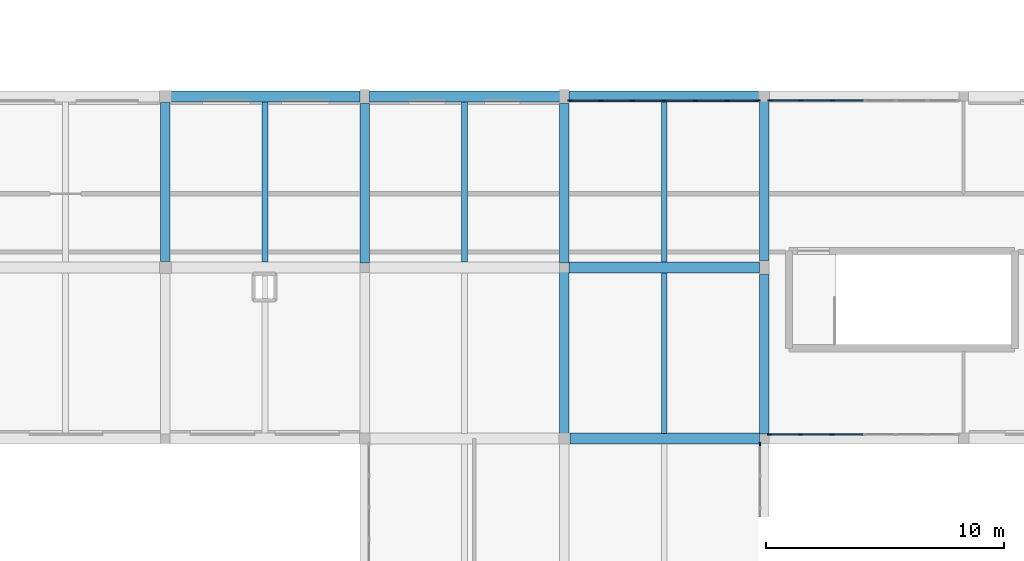
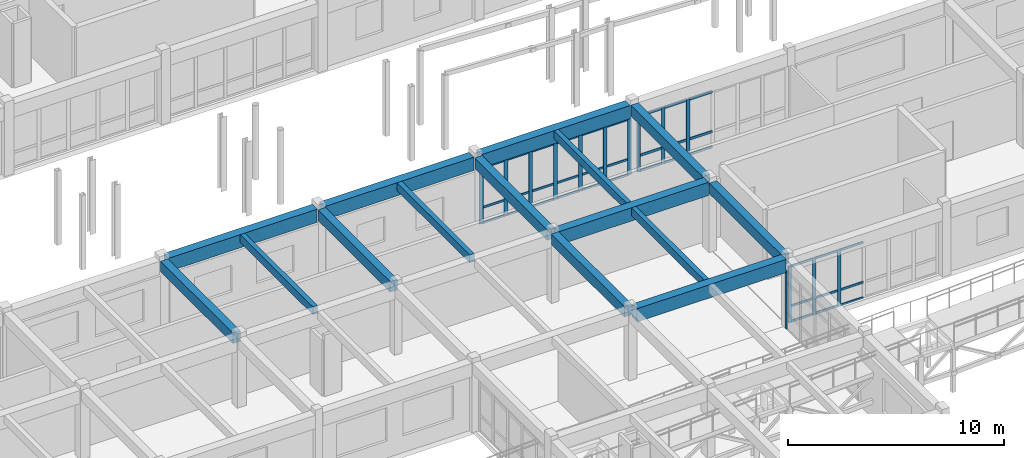
# One storey, part 35 of 90: 50 members, 15 beams, 4 elements without a shape of their own.
"""IFC4 building model written with IfcOpenShell, lengths in metres."""

from ifc_helpers import new_model, si_unit, direction, frame, origin, origin_2d, place, context, subcontext, project, spatial, rectangle, extrude, material, material_profile, profile_set, type_object, element, aggregate, save


model = new_model("IFC4")

# Units and contexts
model_context = context("Model", 3, precision=1e-05, world=origin(), true_north=direction((0.0, 1.0)))
body_context = subcontext(model_context, "Body", "Model", "MODEL_VIEW")
ifc_project = project(units=[si_unit("LENGTHUNIT", "METRE"), si_unit("AREAUNIT", "SQUARE_METRE"), si_unit("VOLUMEUNIT", "CUBIC_METRE"), si_unit("PLANEANGLEUNIT", "RADIAN"), si_unit("MASSUNIT", "GRAM", prefix="KILO")], contexts=[model_context])

# Site, building, storey
site_placement = place(None, origin())
site = spatial("IfcSite", under=ifc_project, at=site_placement, CompositionType="ELEMENT")
building_placement = place(site_placement, origin())
building = spatial("IfcBuilding", under=site, at=building_placement, Name="Malvenik Polytechnic", CompositionType="ELEMENT")
storey_placement = place(building_placement, frame((0.0, 0.0, 9.300048828125)))
storey = spatial("IfcBuildingStorey", under=building, at=storey_placement, Name="L02", CompositionType="ELEMENT", Elevation=9.300048828125)

# Curtain wall, member
ifc_material_1 = material(Name="Anodised aluminium 6060-T6", Category="aluminium")
curtain_wall_type_1 = type_object("IfcCurtainWallType", Name="ARC-CW-CW-06", PredefinedType="NOTDEFINED", material=ifc_material_1)
curtain_wall_1_placement = place(storey_placement, origin())
curtain_wall_1 = element("IfcCurtainWall", 1, at=curtain_wall_1_placement, inside=storey, type_object=curtain_wall_type_1, Name="Unitised Curtain Wall CW-06 L02 #146", PredefinedType="NOTDEFINED")
ifc_material_2 = material(Name="Anodised aluminium", Category="aluminium")
ifc_material_profile_1 = material_profile(ifc_material_2, rectangle(XDim=0.06005859375, YDim=0.159912109375, at=origin_2d()), Name="ALU MULLION 60x160")
ifc_profile_set_1 = profile_set([ifc_material_profile_1], Name="Anodised aluminium")
member_type_1 = type_object("IfcMemberType", Name="ARC-CWM-160", PredefinedType="MULLION", material=ifc_profile_set_1)
member_1_placement = place(storey_placement, frame((92.22998046875, 50.172119140625, 0.0), z_axis=(0.0, 0.0, 1.0), x_axis=(1.0, 0.0, 0.0)))
member_1 = element("IfcMember", 2, at=member_1_placement, type_object=member_type_1, Name="CW-06 mullion 1", PredefinedType="MULLION", context=body_context, shape_type="SweptSolid", body=[
    extrude(rectangle(XDim=0.06005859375, YDim=0.159912109375, at=origin_2d()), origin(), (0.0, 0.0, 1.0), 3.329833984375),
])
aggregate(curtain_wall_1, [member_1])

# Curtain wall, members
curtain_wall_type_2 = type_object("IfcCurtainWallType", Name="ARC-CW-CW-03", PredefinedType="NOTDEFINED", material=ifc_material_1)
curtain_wall_2_placement = place(storey_placement, origin())
curtain_wall_2 = element("IfcCurtainWall", 3, at=curtain_wall_2_placement, inside=storey, type_object=curtain_wall_type_2, Name="Unitised Curtain Wall CW-03 L02 #142", PredefinedType="NOTDEFINED")
ifc_material_profile_2 = material_profile(ifc_material_2, rectangle(XDim=0.06005859375, YDim=0.179931640625, at=origin_2d()), Name="ALU MULLION 60x180")
ifc_profile_set_2 = profile_set([ifc_material_profile_2], Name="Anodised aluminium")
member_type_2 = type_object("IfcMemberType", Name="ARC-CWM-180", PredefinedType="MULLION", material=ifc_profile_set_2)
member_2_placement = place(storey_placement, frame((92.653076171875, 64.6298828125, 0.0), z_axis=(0.0, 0.0, 1.0), x_axis=(0.0, 1.0, 0.0)))
member_2 = element("IfcMember", 4, at=member_2_placement, type_object=member_type_2, Name="CW-03 mullion 1", PredefinedType="MULLION", context=body_context, shape_type="SweptSolid", body=[
    extrude(rectangle(XDim=0.06005859375, YDim=0.179931640625, at=origin_2d()), origin(), (0.0, 0.0, 1.0), 3.179931640625),
])
member_3_placement = place(storey_placement, frame((93.952880859375, 64.6298828125, 0.0), z_axis=(0.0, 0.0, 1.0), x_axis=(0.0, 1.0, 0.0)))
member_3 = element("IfcMember", 5, at=member_3_placement, type_object=member_type_2, Name="CW-03 mullion 2", PredefinedType="MULLION", context=body_context, shape_type="SweptSolid", body=[
    extrude(rectangle(XDim=0.06005859375, YDim=0.179931640625, at=origin_2d()), origin(), (0.0, 0.0, 1.0), 3.179931640625),
])
member_4_placement = place(storey_placement, frame((95.28271484375, 64.6298828125, 0.0), z_axis=(0.0, 0.0, 1.0), x_axis=(0.0, 1.0, 0.0)))
member_4 = element("IfcMember", 6, at=member_4_placement, type_object=member_type_2, Name="CW-03 mullion 3", PredefinedType="MULLION", context=body_context, shape_type="SweptSolid", body=[
    extrude(rectangle(XDim=0.06005859375, YDim=0.179931640625, at=origin_2d()), origin(), (0.0, 0.0, 1.0), 3.179931640625),
])

curtain_wall_3_placement = place(storey_placement, origin())
curtain_wall_3 = element("IfcCurtainWall", 7, at=curtain_wall_3_placement, inside=storey, type_object=curtain_wall_type_2, Name="Unitised Curtain Wall CW-03 L02 #145", PredefinedType="NOTDEFINED")
member_5_placement = place(storey_placement, frame((95.257568359375, 50.570068359375, 0.0), z_axis=(0.0, 0.0, 1.0), x_axis=(0.0, -1.0, 0.0)))
member_5 = element("IfcMember", 8, at=member_5_placement, type_object=member_type_2, Name="CW-03 mullion 5", PredefinedType="MULLION", context=body_context, shape_type="SweptSolid", body=[
    extrude(rectangle(XDim=0.06005859375, YDim=0.179931640625, at=origin_2d()), origin(), (0.0, 0.0, 1.0), 3.179931640625),
])
member_6_placement = place(storey_placement, frame((93.927734375, 50.570068359375, 0.0), z_axis=(0.0, 0.0, 1.0), x_axis=(0.0, -1.0, 0.0)))
member_6 = element("IfcMember", 9, at=member_6_placement, type_object=member_type_2, Name="CW-03 mullion 6", PredefinedType="MULLION", context=body_context, shape_type="SweptSolid", body=[
    extrude(rectangle(XDim=0.06005859375, YDim=0.179931640625, at=origin_2d()), origin(), (0.0, 0.0, 1.0), 3.179931640625),
])
member_7_placement = place(storey_placement, frame((92.6279296875, 50.570068359375, 0.0), z_axis=(0.0, 0.0, 1.0), x_axis=(0.0, -1.0, 0.0)))
member_7 = element("IfcMember", 10, at=member_7_placement, type_object=member_type_2, Name="CW-03 mullion 7", PredefinedType="MULLION", context=body_context, shape_type="SweptSolid", body=[
    extrude(rectangle(XDim=0.06005859375, YDim=0.179931640625, at=origin_2d()), origin(), (0.0, 0.0, 1.0), 3.179931640625),
])

curtain_wall_4_placement = place(storey_placement, origin())
curtain_wall_4 = element("IfcCurtainWall", 11, at=curtain_wall_4_placement, inside=storey, type_object=curtain_wall_type_2, Name="Unitised Curtain Wall CW-03 L02 #141", PredefinedType="NOTDEFINED")
ifc_material_profile_3 = material_profile(ifc_material_2, rectangle(XDim=0.06005859375, YDim=0.199951171875, at=origin_2d()), Name="ALU MULLION 60x200")
ifc_profile_set_3 = profile_set([ifc_material_profile_3], Name="Anodised aluminium")
member_type_3 = type_object("IfcMemberType", Name="ARC-CWM-200", PredefinedType="MULLION", material=ifc_profile_set_3)
member_8_placement = place(storey_placement, frame((84.22802734375, 64.6298828125, 0.0), z_axis=(0.0, 0.0, 1.0), x_axis=(0.0, 1.0, 0.0)))
member_8 = element("IfcMember", 12, at=member_8_placement, type_object=member_type_3, Name="CW-03 mullion 1", PredefinedType="MULLION", context=body_context, shape_type="SweptSolid", body=[
    extrude(rectangle(XDim=0.06005859375, YDim=0.199951171875, at=origin_2d()), origin(), (0.0, 0.0, 1.0), 3.179931640625),
])
member_9_placement = place(storey_placement, frame((85.52783203125, 64.6298828125, 0.0), z_axis=(0.0, 0.0, 1.0), x_axis=(0.0, 1.0, 0.0)))
member_9 = element("IfcMember", 13, at=member_9_placement, type_object=member_type_3, Name="CW-03 mullion 2", PredefinedType="MULLION", context=body_context, shape_type="SweptSolid", body=[
    extrude(rectangle(XDim=0.06005859375, YDim=0.199951171875, at=origin_2d()), origin(), (0.0, 0.0, 1.0), 3.179931640625),
])
member_10_placement = place(storey_placement, frame((86.857666015625, 64.6298828125, 0.0), z_axis=(0.0, 0.0, 1.0), x_axis=(0.0, 1.0, 0.0)))
member_10 = element("IfcMember", 14, at=member_10_placement, type_object=member_type_3, Name="CW-03 mullion 3", PredefinedType="MULLION", context=body_context, shape_type="SweptSolid", body=[
    extrude(rectangle(XDim=0.06005859375, YDim=0.199951171875, at=origin_2d()), origin(), (0.0, 0.0, 1.0), 3.179931640625),
])
member_11_placement = place(storey_placement, frame((88.1875, 64.6298828125, 0.0), z_axis=(0.0, 0.0, 1.0), x_axis=(0.0, 1.0, 0.0)))
member_11 = element("IfcMember", 15, at=member_11_placement, type_object=member_type_3, Name="CW-03 mullion 4", PredefinedType="MULLION", context=body_context, shape_type="SweptSolid", body=[
    extrude(rectangle(XDim=0.06005859375, YDim=0.199951171875, at=origin_2d()), origin(), (0.0, 0.0, 1.0), 3.179931640625),
])
member_12_placement = place(storey_placement, frame((89.517333984375, 64.6298828125, 0.0), z_axis=(0.0, 0.0, 1.0), x_axis=(0.0, 1.0, 0.0)))
member_12 = element("IfcMember", 16, at=member_12_placement, type_object=member_type_3, Name="CW-03 mullion 5", PredefinedType="MULLION", context=body_context, shape_type="SweptSolid", body=[
    extrude(rectangle(XDim=0.06005859375, YDim=0.199951171875, at=origin_2d()), origin(), (0.0, 0.0, 1.0), 3.179931640625),
])
member_13_placement = place(storey_placement, frame((90.84716796875, 64.6298828125, 0.0), z_axis=(0.0, 0.0, 1.0), x_axis=(0.0, 1.0, 0.0)))
member_13 = element("IfcMember", 17, at=member_13_placement, type_object=member_type_3, Name="CW-03 mullion 6", PredefinedType="MULLION", context=body_context, shape_type="SweptSolid", body=[
    extrude(rectangle(XDim=0.06005859375, YDim=0.199951171875, at=origin_2d()), origin(), (0.0, 0.0, 1.0), 3.179931640625),
])
member_14_placement = place(storey_placement, frame((92.14697265625, 64.6298828125, 0.0), z_axis=(0.0, 0.0, 1.0), x_axis=(0.0, 1.0, 0.0)))
member_14 = element("IfcMember", 18, at=member_14_placement, type_object=member_type_3, Name="CW-03 mullion 7", PredefinedType="MULLION", context=body_context, shape_type="SweptSolid", body=[
    extrude(rectangle(XDim=0.06005859375, YDim=0.199951171875, at=origin_2d()), origin(), (0.0, 0.0, 1.0), 3.179931640625),
])
ifc_material_profile_4 = material_profile(ifc_material_2, rectangle(XDim=0.06005859375, YDim=0.1201171875, at=origin_2d()), Name="ALU TRANSOM 60x120")
ifc_profile_set_4 = profile_set([ifc_material_profile_4], Name="Anodised aluminium")
member_type_4 = type_object("IfcMemberType", Name="ARC-CWT-120", PredefinedType="USERDEFINED", material=ifc_profile_set_4)
member_15_placement = place(storey_placement, frame((84.258056640625, 64.6298828125, 0.030029296875), z_axis=(1.0, 0.0, 0.0), x_axis=(0.0, 1.0, 0.0)))
member_15 = element("IfcMember", 19, at=member_15_placement, type_object=member_type_4, Name="CW-03 transom 1.1", ObjectType="TRANSOM", PredefinedType="USERDEFINED", context=body_context, shape_type="SweptSolid", body=[
    extrude(rectangle(XDim=0.06005859375, YDim=0.1201171875, at=origin_2d()), origin(), (0.0, 0.0, 1.0), 1.23974609375),
])
member_16_placement = place(storey_placement, frame((84.258056640625, 64.6298828125, 0.89990234375), z_axis=(1.0, 0.0, 0.0), x_axis=(0.0, 1.0, 0.0)))
member_16 = element("IfcMember", 20, at=member_16_placement, type_object=member_type_4, Name="CW-03 transom 1.2", ObjectType="TRANSOM", PredefinedType="USERDEFINED", context=body_context, shape_type="SweptSolid", body=[
    extrude(rectangle(XDim=0.06005859375, YDim=0.1201171875, at=origin_2d()), origin(), (0.0, 0.0, 1.0), 1.23974609375),
])
member_17_placement = place(storey_placement, frame((84.258056640625, 64.6298828125, 3.14990234375), z_axis=(1.0, 0.0, 0.0), x_axis=(0.0, 1.0, 0.0)))
member_17 = element("IfcMember", 21, at=member_17_placement, type_object=member_type_4, Name="CW-03 transom 1.3", ObjectType="TRANSOM", PredefinedType="USERDEFINED", context=body_context, shape_type="SweptSolid", body=[
    extrude(rectangle(XDim=0.06005859375, YDim=0.1201171875, at=origin_2d()), origin(), (0.0, 0.0, 1.0), 1.23974609375),
])
member_18_placement = place(storey_placement, frame((85.557861328125, 64.6298828125, 0.030029296875), z_axis=(1.0, 0.0, 0.0), x_axis=(0.0, 1.0, 0.0)))
member_18 = element("IfcMember", 22, at=member_18_placement, type_object=member_type_4, Name="CW-03 transom 2.1", ObjectType="TRANSOM", PredefinedType="USERDEFINED", context=body_context, shape_type="SweptSolid", body=[
    extrude(rectangle(XDim=0.06005859375, YDim=0.1201171875, at=origin_2d()), origin(), (0.0, 0.0, 1.0), 1.269775390625),
])
member_19_placement = place(storey_placement, frame((85.557861328125, 64.6298828125, 0.89990234375), z_axis=(1.0, 0.0, 0.0), x_axis=(0.0, 1.0, 0.0)))
member_19 = element("IfcMember", 23, at=member_19_placement, type_object=member_type_4, Name="CW-03 transom 2.2", ObjectType="TRANSOM", PredefinedType="USERDEFINED", context=body_context, shape_type="SweptSolid", body=[
    extrude(rectangle(XDim=0.06005859375, YDim=0.1201171875, at=origin_2d()), origin(), (0.0, 0.0, 1.0), 1.269775390625),
])
member_20_placement = place(storey_placement, frame((85.557861328125, 64.6298828125, 3.14990234375), z_axis=(1.0, 0.0, 0.0), x_axis=(0.0, 1.0, 0.0)))
member_20 = element("IfcMember", 24, at=member_20_placement, type_object=member_type_4, Name="CW-03 transom 2.3", ObjectType="TRANSOM", PredefinedType="USERDEFINED", context=body_context, shape_type="SweptSolid", body=[
    extrude(rectangle(XDim=0.06005859375, YDim=0.1201171875, at=origin_2d()), origin(), (0.0, 0.0, 1.0), 1.269775390625),
])
member_21_placement = place(storey_placement, frame((86.8876953125, 64.6298828125, 0.030029296875), z_axis=(1.0, 0.0, 0.0), x_axis=(0.0, 1.0, 0.0)))
member_21 = element("IfcMember", 25, at=member_21_placement, type_object=member_type_4, Name="CW-03 transom 3.1", ObjectType="TRANSOM", PredefinedType="USERDEFINED", context=body_context, shape_type="SweptSolid", body=[
    extrude(rectangle(XDim=0.06005859375, YDim=0.1201171875, at=origin_2d()), origin(), (0.0, 0.0, 1.0), 1.269775390625),
])
member_22_placement = place(storey_placement, frame((86.8876953125, 64.6298828125, 0.89990234375), z_axis=(1.0, 0.0, 0.0), x_axis=(0.0, 1.0, 0.0)))
member_22 = element("IfcMember", 26, at=member_22_placement, type_object=member_type_4, Name="CW-03 transom 3.2", ObjectType="TRANSOM", PredefinedType="USERDEFINED", context=body_context, shape_type="SweptSolid", body=[
    extrude(rectangle(XDim=0.06005859375, YDim=0.1201171875, at=origin_2d()), origin(), (0.0, 0.0, 1.0), 1.269775390625),
])
member_23_placement = place(storey_placement, frame((86.8876953125, 64.6298828125, 3.14990234375), z_axis=(1.0, 0.0, 0.0), x_axis=(0.0, 1.0, 0.0)))
member_23 = element("IfcMember", 27, at=member_23_placement, type_object=member_type_4, Name="CW-03 transom 3.3", ObjectType="TRANSOM", PredefinedType="USERDEFINED", context=body_context, shape_type="SweptSolid", body=[
    extrude(rectangle(XDim=0.06005859375, YDim=0.1201171875, at=origin_2d()), origin(), (0.0, 0.0, 1.0), 1.269775390625),
])
member_24_placement = place(storey_placement, frame((88.217529296875, 64.6298828125, 0.030029296875), z_axis=(1.0, 0.0, 0.0), x_axis=(0.0, 1.0, 0.0)))
member_24 = element("IfcMember", 28, at=member_24_placement, type_object=member_type_4, Name="CW-03 transom 4.1", ObjectType="TRANSOM", PredefinedType="USERDEFINED", context=body_context, shape_type="SweptSolid", body=[
    extrude(rectangle(XDim=0.06005859375, YDim=0.1201171875, at=origin_2d()), origin(), (0.0, 0.0, 1.0), 1.269775390625),
])
member_25_placement = place(storey_placement, frame((88.217529296875, 64.6298828125, 0.89990234375), z_axis=(1.0, 0.0, 0.0), x_axis=(0.0, 1.0, 0.0)))
member_25 = element("IfcMember", 29, at=member_25_placement, type_object=member_type_4, Name="CW-03 transom 4.2", ObjectType="TRANSOM", PredefinedType="USERDEFINED", context=body_context, shape_type="SweptSolid", body=[
    extrude(rectangle(XDim=0.06005859375, YDim=0.1201171875, at=origin_2d()), origin(), (0.0, 0.0, 1.0), 1.269775390625),
])
member_26_placement = place(storey_placement, frame((88.217529296875, 64.6298828125, 3.14990234375), z_axis=(1.0, 0.0, 0.0), x_axis=(0.0, 1.0, 0.0)))
member_26 = element("IfcMember", 30, at=member_26_placement, type_object=member_type_4, Name="CW-03 transom 4.3", ObjectType="TRANSOM", PredefinedType="USERDEFINED", context=body_context, shape_type="SweptSolid", body=[
    extrude(rectangle(XDim=0.06005859375, YDim=0.1201171875, at=origin_2d()), origin(), (0.0, 0.0, 1.0), 1.269775390625),
])
member_27_placement = place(storey_placement, frame((89.54736328125, 64.6298828125, 0.030029296875), z_axis=(1.0, 0.0, 0.0), x_axis=(0.0, 1.0, 0.0)))
member_27 = element("IfcMember", 31, at=member_27_placement, type_object=member_type_4, Name="CW-03 transom 5.1", ObjectType="TRANSOM", PredefinedType="USERDEFINED", context=body_context, shape_type="SweptSolid", body=[
    extrude(rectangle(XDim=0.06005859375, YDim=0.1201171875, at=origin_2d()), origin(), (0.0, 0.0, 1.0), 1.269775390625),
])
member_28_placement = place(storey_placement, frame((89.54736328125, 64.6298828125, 0.89990234375), z_axis=(1.0, 0.0, 0.0), x_axis=(0.0, 1.0, 0.0)))
member_28 = element("IfcMember", 32, at=member_28_placement, type_object=member_type_4, Name="CW-03 transom 5.2", ObjectType="TRANSOM", PredefinedType="USERDEFINED", context=body_context, shape_type="SweptSolid", body=[
    extrude(rectangle(XDim=0.06005859375, YDim=0.1201171875, at=origin_2d()), origin(), (0.0, 0.0, 1.0), 1.269775390625),
])
member_29_placement = place(storey_placement, frame((89.54736328125, 64.6298828125, 3.14990234375), z_axis=(1.0, 0.0, 0.0), x_axis=(0.0, 1.0, 0.0)))
member_29 = element("IfcMember", 33, at=member_29_placement, type_object=member_type_4, Name="CW-03 transom 5.3", ObjectType="TRANSOM", PredefinedType="USERDEFINED", context=body_context, shape_type="SweptSolid", body=[
    extrude(rectangle(XDim=0.06005859375, YDim=0.1201171875, at=origin_2d()), origin(), (0.0, 0.0, 1.0), 1.269775390625),
])
member_30_placement = place(storey_placement, frame((90.877197265625, 64.6298828125, 0.030029296875), z_axis=(1.0, 0.0, 0.0), x_axis=(0.0, 1.0, 0.0)))
member_30 = element("IfcMember", 34, at=member_30_placement, type_object=member_type_4, Name="CW-03 transom 6.1", ObjectType="TRANSOM", PredefinedType="USERDEFINED", context=body_context, shape_type="SweptSolid", body=[
    extrude(rectangle(XDim=0.06005859375, YDim=0.1201171875, at=origin_2d()), origin(), (0.0, 0.0, 1.0), 1.23974609375),
])
member_31_placement = place(storey_placement, frame((90.877197265625, 64.6298828125, 0.89990234375), z_axis=(1.0, 0.0, 0.0), x_axis=(0.0, 1.0, 0.0)))
member_31 = element("IfcMember", 35, at=member_31_placement, type_object=member_type_4, Name="CW-03 transom 6.2", ObjectType="TRANSOM", PredefinedType="USERDEFINED", context=body_context, shape_type="SweptSolid", body=[
    extrude(rectangle(XDim=0.06005859375, YDim=0.1201171875, at=origin_2d()), origin(), (0.0, 0.0, 1.0), 1.23974609375),
])
member_32_placement = place(storey_placement, frame((90.877197265625, 64.6298828125, 3.14990234375), z_axis=(1.0, 0.0, 0.0), x_axis=(0.0, 1.0, 0.0)))
member_32 = element("IfcMember", 36, at=member_32_placement, type_object=member_type_4, Name="CW-03 transom 6.3", ObjectType="TRANSOM", PredefinedType="USERDEFINED", context=body_context, shape_type="SweptSolid", body=[
    extrude(rectangle(XDim=0.06005859375, YDim=0.1201171875, at=origin_2d()), origin(), (0.0, 0.0, 1.0), 1.23974609375),
])
aggregate(curtain_wall_4, [member_8, member_9, member_10, member_11, member_12, member_13, member_14, member_15, member_16, member_17, member_18, member_19, member_20, member_21, member_22, member_23, member_24, member_25, member_26, member_27, member_28, member_29, member_30, member_31, member_32])

# Member
member_33_placement = place(storey_placement, frame((96.5576171875, 50.570068359375, 0.030029296875), z_axis=(-1.0, 0.0, 0.0), x_axis=(0.0, -1.0, 0.0)))
member_33 = element("IfcMember", 37, at=member_33_placement, type_object=member_type_4, Name="CW-03 transom 4.1", ObjectType="TRANSOM", PredefinedType="USERDEFINED", context=body_context, shape_type="SweptSolid", body=[
    extrude(rectangle(XDim=0.06005859375, YDim=0.1201171875, at=origin_2d()), origin(), (0.0, 0.0, 1.0), 1.27001953125),
])

member_34_placement = place(storey_placement, frame((96.5576171875, 50.570068359375, 0.89990234375), z_axis=(-1.0, 0.0, 0.0), x_axis=(0.0, -1.0, 0.0)))
member_34 = element("IfcMember", 38, at=member_34_placement, type_object=member_type_4, Name="CW-03 transom 4.2", ObjectType="TRANSOM", PredefinedType="USERDEFINED", context=body_context, shape_type="SweptSolid", body=[
    extrude(rectangle(XDim=0.06005859375, YDim=0.1201171875, at=origin_2d()), origin(), (0.0, 0.0, 1.0), 1.27001953125),
])

member_35_placement = place(storey_placement, frame((96.5576171875, 50.570068359375, 3.14990234375), z_axis=(-1.0, 0.0, 0.0), x_axis=(0.0, -1.0, 0.0)))
member_35 = element("IfcMember", 39, at=member_35_placement, type_object=member_type_4, Name="CW-03 transom 4.3", ObjectType="TRANSOM", PredefinedType="USERDEFINED", context=body_context, shape_type="SweptSolid", body=[
    extrude(rectangle(XDim=0.06005859375, YDim=0.1201171875, at=origin_2d()), origin(), (0.0, 0.0, 1.0), 1.27001953125),
])

member_36_placement = place(storey_placement, frame((95.227783203125, 50.570068359375, 0.030029296875), z_axis=(-1.0, 0.0, 0.0), x_axis=(0.0, -1.0, 0.0)))
member_36 = element("IfcMember", 40, at=member_36_placement, type_object=member_type_4, Name="CW-03 transom 5.1", ObjectType="TRANSOM", PredefinedType="USERDEFINED", context=body_context, shape_type="SweptSolid", body=[
    extrude(rectangle(XDim=0.06005859375, YDim=0.1201171875, at=origin_2d()), origin(), (0.0, 0.0, 1.0), 1.27001953125),
])

member_37_placement = place(storey_placement, frame((95.227783203125, 50.570068359375, 0.89990234375), z_axis=(-1.0, 0.0, 0.0), x_axis=(0.0, -1.0, 0.0)))
member_37 = element("IfcMember", 41, at=member_37_placement, type_object=member_type_4, Name="CW-03 transom 5.2", ObjectType="TRANSOM", PredefinedType="USERDEFINED", context=body_context, shape_type="SweptSolid", body=[
    extrude(rectangle(XDim=0.06005859375, YDim=0.1201171875, at=origin_2d()), origin(), (0.0, 0.0, 1.0), 1.27001953125),
])

member_38_placement = place(storey_placement, frame((95.227783203125, 50.570068359375, 3.14990234375), z_axis=(-1.0, 0.0, 0.0), x_axis=(0.0, -1.0, 0.0)))
member_38 = element("IfcMember", 42, at=member_38_placement, type_object=member_type_4, Name="CW-03 transom 5.3", ObjectType="TRANSOM", PredefinedType="USERDEFINED", context=body_context, shape_type="SweptSolid", body=[
    extrude(rectangle(XDim=0.06005859375, YDim=0.1201171875, at=origin_2d()), origin(), (0.0, 0.0, 1.0), 1.27001953125),
])

member_39_placement = place(storey_placement, frame((93.89794921875, 50.570068359375, 0.030029296875), z_axis=(-1.0, 0.0, 0.0), x_axis=(0.0, -1.0, 0.0)))
member_39 = element("IfcMember", 43, at=member_39_placement, type_object=member_type_4, Name="CW-03 transom 6.1", ObjectType="TRANSOM", PredefinedType="USERDEFINED", context=body_context, shape_type="SweptSolid", body=[
    extrude(rectangle(XDim=0.06005859375, YDim=0.1201171875, at=origin_2d()), origin(), (0.0, 0.0, 1.0), 1.239990234375),
])

member_40_placement = place(storey_placement, frame((93.89794921875, 50.570068359375, 0.89990234375), z_axis=(-1.0, 0.0, 0.0), x_axis=(0.0, -1.0, 0.0)))
member_40 = element("IfcMember", 44, at=member_40_placement, type_object=member_type_4, Name="CW-03 transom 6.2", ObjectType="TRANSOM", PredefinedType="USERDEFINED", context=body_context, shape_type="SweptSolid", body=[
    extrude(rectangle(XDim=0.06005859375, YDim=0.1201171875, at=origin_2d()), origin(), (0.0, 0.0, 1.0), 1.239990234375),
])

member_41_placement = place(storey_placement, frame((93.89794921875, 50.570068359375, 3.14990234375), z_axis=(-1.0, 0.0, 0.0), x_axis=(0.0, -1.0, 0.0)))
member_41 = element("IfcMember", 45, at=member_41_placement, type_object=member_type_4, Name="CW-03 transom 6.3", ObjectType="TRANSOM", PredefinedType="USERDEFINED", context=body_context, shape_type="SweptSolid", body=[
    extrude(rectangle(XDim=0.06005859375, YDim=0.1201171875, at=origin_2d()), origin(), (0.0, 0.0, 1.0), 1.239990234375),
])

aggregate(curtain_wall_3, [member_5, member_6, member_7, member_33, member_34, member_35, member_36, member_37, member_38, member_39, member_40, member_41])

ifc_material_profile_5 = material_profile(ifc_material_2, rectangle(XDim=0.06005859375, YDim=0.139892578125, at=origin_2d()), Name="ALU TRANSOM 60x140")
ifc_profile_set_5 = profile_set([ifc_material_profile_5], Name="Anodised aluminium")
member_type_5 = type_object("IfcMemberType", Name="ARC-CWT-140", PredefinedType="USERDEFINED", material=ifc_profile_set_5)
member_42_placement = place(storey_placement, frame((92.68310546875, 64.6298828125, 0.030029296875), z_axis=(1.0, 0.0, 0.0), x_axis=(0.0, 1.0, 0.0)))
member_42 = element("IfcMember", 46, at=member_42_placement, type_object=member_type_5, Name="CW-03 transom 1.1", ObjectType="TRANSOM", PredefinedType="USERDEFINED", context=body_context, shape_type="SweptSolid", body=[
    extrude(rectangle(XDim=0.06005859375, YDim=0.139892578125, at=origin_2d()), origin(), (0.0, 0.0, 1.0), 1.23974609375),
])

member_43_placement = place(storey_placement, frame((92.68310546875, 64.6298828125, 0.89990234375), z_axis=(1.0, 0.0, 0.0), x_axis=(0.0, 1.0, 0.0)))
member_43 = element("IfcMember", 47, at=member_43_placement, type_object=member_type_5, Name="CW-03 transom 1.2", ObjectType="TRANSOM", PredefinedType="USERDEFINED", context=body_context, shape_type="SweptSolid", body=[
    extrude(rectangle(XDim=0.06005859375, YDim=0.139892578125, at=origin_2d()), origin(), (0.0, 0.0, 1.0), 1.23974609375),
])

member_44_placement = place(storey_placement, frame((92.68310546875, 64.6298828125, 3.14990234375), z_axis=(1.0, 0.0, 0.0), x_axis=(0.0, 1.0, 0.0)))
member_44 = element("IfcMember", 48, at=member_44_placement, type_object=member_type_5, Name="CW-03 transom 1.3", ObjectType="TRANSOM", PredefinedType="USERDEFINED", context=body_context, shape_type="SweptSolid", body=[
    extrude(rectangle(XDim=0.06005859375, YDim=0.139892578125, at=origin_2d()), origin(), (0.0, 0.0, 1.0), 1.23974609375),
])

member_45_placement = place(storey_placement, frame((93.98291015625, 64.6298828125, 0.030029296875), z_axis=(1.0, 0.0, 0.0), x_axis=(0.0, 1.0, 0.0)))
member_45 = element("IfcMember", 49, at=member_45_placement, type_object=member_type_5, Name="CW-03 transom 2.1", ObjectType="TRANSOM", PredefinedType="USERDEFINED", context=body_context, shape_type="SweptSolid", body=[
    extrude(rectangle(XDim=0.06005859375, YDim=0.139892578125, at=origin_2d()), origin(), (0.0, 0.0, 1.0), 1.269775390625),
])

member_46_placement = place(storey_placement, frame((93.98291015625, 64.6298828125, 0.89990234375), z_axis=(1.0, 0.0, 0.0), x_axis=(0.0, 1.0, 0.0)))
member_46 = element("IfcMember", 50, at=member_46_placement, type_object=member_type_5, Name="CW-03 transom 2.2", ObjectType="TRANSOM", PredefinedType="USERDEFINED", context=body_context, shape_type="SweptSolid", body=[
    extrude(rectangle(XDim=0.06005859375, YDim=0.139892578125, at=origin_2d()), origin(), (0.0, 0.0, 1.0), 1.269775390625),
])

member_47_placement = place(storey_placement, frame((93.98291015625, 64.6298828125, 3.14990234375), z_axis=(1.0, 0.0, 0.0), x_axis=(0.0, 1.0, 0.0)))
member_47 = element("IfcMember", 51, at=member_47_placement, type_object=member_type_5, Name="CW-03 transom 2.3", ObjectType="TRANSOM", PredefinedType="USERDEFINED", context=body_context, shape_type="SweptSolid", body=[
    extrude(rectangle(XDim=0.06005859375, YDim=0.139892578125, at=origin_2d()), origin(), (0.0, 0.0, 1.0), 1.269775390625),
])

member_48_placement = place(storey_placement, frame((95.312744140625, 64.6298828125, 0.030029296875), z_axis=(1.0, 0.0, 0.0), x_axis=(0.0, 1.0, 0.0)))
member_48 = element("IfcMember", 52, at=member_48_placement, type_object=member_type_5, Name="CW-03 transom 3.1", ObjectType="TRANSOM", PredefinedType="USERDEFINED", context=body_context, shape_type="SweptSolid", body=[
    extrude(rectangle(XDim=0.06005859375, YDim=0.139892578125, at=origin_2d()), origin(), (0.0, 0.0, 1.0), 1.269775390625),
])

member_49_placement = place(storey_placement, frame((95.312744140625, 64.6298828125, 0.89990234375), z_axis=(1.0, 0.0, 0.0), x_axis=(0.0, 1.0, 0.0)))
member_49 = element("IfcMember", 53, at=member_49_placement, type_object=member_type_5, Name="CW-03 transom 3.2", ObjectType="TRANSOM", PredefinedType="USERDEFINED", context=body_context, shape_type="SweptSolid", body=[
    extrude(rectangle(XDim=0.06005859375, YDim=0.139892578125, at=origin_2d()), origin(), (0.0, 0.0, 1.0), 1.269775390625),
])

member_50_placement = place(storey_placement, frame((95.312744140625, 64.6298828125, 3.14990234375), z_axis=(1.0, 0.0, 0.0), x_axis=(0.0, 1.0, 0.0)))
member_50 = element("IfcMember", 54, at=member_50_placement, type_object=member_type_5, Name="CW-03 transom 3.3", ObjectType="TRANSOM", PredefinedType="USERDEFINED", context=body_context, shape_type="SweptSolid", body=[
    extrude(rectangle(XDim=0.06005859375, YDim=0.139892578125, at=origin_2d()), origin(), (0.0, 0.0, 1.0), 1.269775390625),
])

aggregate(curtain_wall_2, [member_2, member_3, member_4, member_42, member_43, member_44, member_45, member_46, member_47, member_48, member_49, member_50])

# Beams
ifc_material_3 = material(Name="Concrete C35/45", Category="concrete")
ifc_material_profile_6 = material_profile(ifc_material_3, rectangle(XDim=0.449951171875, YDim=0.75, at=origin_2d()), Name="RC BM 450x750")
ifc_profile_set_6 = profile_set([ifc_material_profile_6], Name="Concrete C35/45")
beam_type_1 = type_object("IfcBeamType", Name="STR-BM-B-03", PredefinedType="BEAM", material=ifc_profile_set_6)
beam_1_placement = place(storey_placement, frame((84.222900390625, 50.39990234375, 3.56494140625), z_axis=(1.0, 0.0, 0.0), x_axis=(0.0, 1.0, 0.0)))
element("IfcBeam", 55, at=beam_1_placement, inside=storey, type_object=beam_type_1, Name="Primary Beam B-03 L02 #1344", PredefinedType="BEAM", context=body_context, shape_type="SweptSolid", body=[
    extrude(rectangle(XDim=0.449951171875, YDim=0.75, at=origin_2d()), origin(), (0.0, 0.0, 1.0), 7.97900390625),
])
beam_2_placement = place(storey_placement, frame((84.197998046875, 57.60009765625, 3.56494140625), z_axis=(1.0, 0.0, 0.0), x_axis=(0.0, 1.0, 0.0)))
element("IfcBeam", 56, at=beam_2_placement, inside=storey, type_object=beam_type_1, Name="Primary Beam B-03 L02 #1357", PredefinedType="BEAM", context=body_context, shape_type="SweptSolid", body=[
    extrude(rectangle(XDim=0.449951171875, YDim=0.75, at=origin_2d()), origin(), (0.0, 0.0, 1.0), 8.00390625),
])
ifc_material_profile_7 = material_profile(ifc_material_3, rectangle(XDim=0.39990234375, YDim=0.60009765625, at=origin_2d()), Name="RC BM 400x600")
ifc_profile_set_7 = profile_set([ifc_material_profile_7], Name="Concrete C35/45")
beam_type_2 = type_object("IfcBeamType", Name="STR-BM-B-06", PredefinedType="BEAM", material=ifc_profile_set_7)
beam_3_placement = place(storey_placement, frame((67.199951171875, 57.847900390625, 3.639892578125), z_axis=(0.0, 1.0, 0.0), x_axis=(-1.0, 0.0, 0.0)))
element("IfcBeam", 57, at=beam_3_placement, inside=storey, type_object=beam_type_2, Name="Transverse Beam B-06 L02 #1502", PredefinedType="BEAM", context=body_context, shape_type="SweptSolid", body=[
    extrude(rectangle(XDim=0.39990234375, YDim=0.60009765625, at=origin_2d()), origin(), (0.0, 0.0, 1.0), 6.7041015625),
])
beam_4_placement = place(storey_placement, frame((75.60009765625, 57.798095703125, 3.639892578125), z_axis=(0.0, 1.0, 0.0), x_axis=(-1.0, 0.0, 0.0)))
element("IfcBeam", 58, at=beam_4_placement, inside=storey, type_object=beam_type_2, Name="Transverse Beam B-06 L02 #1510", PredefinedType="BEAM", context=body_context, shape_type="SweptSolid", body=[
    extrude(rectangle(XDim=0.39990234375, YDim=0.60009765625, at=origin_2d()), origin(), (0.0, 0.0, 1.0), 6.703857421875),
])
beam_5_placement = place(storey_placement, frame((84.0, 50.623046875, 3.639892578125), z_axis=(0.0, 1.0, 0.0), x_axis=(-1.0, 0.0, 0.0)))
element("IfcBeam", 59, at=beam_5_placement, inside=storey, type_object=beam_type_2, Name="Transverse Beam B-06 L02 #1518", PredefinedType="BEAM", context=body_context, shape_type="SweptSolid", body=[
    extrude(rectangle(XDim=0.39990234375, YDim=0.60009765625, at=origin_2d()), origin(), (0.0, 0.0, 1.0), 6.779052734375),
])
beam_6_placement = place(storey_placement, frame((84.0, 57.798095703125, 3.639892578125), z_axis=(0.0, 1.0, 0.0), x_axis=(-1.0, 0.0, 0.0)))
element("IfcBeam", 60, at=beam_6_placement, inside=storey, type_object=beam_type_2, Name="Transverse Beam B-06 L02 #1519", PredefinedType="BEAM", context=body_context, shape_type="SweptSolid", body=[
    extrude(rectangle(XDim=0.39990234375, YDim=0.60009765625, at=origin_2d()), origin(), (0.0, 0.0, 1.0), 6.703857421875),
])
beam_7_placement = place(storey_placement, frame((92.39990234375, 50.597900390625, 3.639892578125), z_axis=(0.0, 1.0, 0.0), x_axis=(-1.0, 0.0, 0.0)))
element("IfcBeam", 61, at=beam_7_placement, inside=storey, type_object=beam_type_2, Name="Transverse Beam B-06 L02 #1529", PredefinedType="BEAM", context=body_context, shape_type="SweptSolid", body=[
    extrude(rectangle(XDim=0.39990234375, YDim=0.60009765625, at=origin_2d()), origin(), (0.0, 0.0, 1.0), 6.7041015625),
])
beam_8_placement = place(storey_placement, frame((92.39990234375, 57.89794921875, 3.639892578125), z_axis=(0.0, 1.0, 0.0), x_axis=(-1.0, 0.0, 0.0)))
element("IfcBeam", 62, at=beam_8_placement, inside=storey, type_object=beam_type_2, Name="Transverse Beam B-06 L02 #1530", PredefinedType="BEAM", context=body_context, shape_type="SweptSolid", body=[
    extrude(rectangle(XDim=0.39990234375, YDim=0.60009765625, at=origin_2d()), origin(), (0.0, 0.0, 1.0), 6.678955078125),
])
ifc_material_4 = material(Name="Concrete C30/37", Category="concrete")
ifc_material_profile_8 = material_profile(ifc_material_4, rectangle(XDim=0.25, YDim=0.449951171875, at=origin_2d()), Name="RC JST 250x450")
ifc_profile_set_8 = profile_set([ifc_material_profile_8], Name="Concrete C30/37")
beam_type_3 = type_object("IfcBeamType", Name="STR-BM-J-02", PredefinedType="JOIST", material=ifc_profile_set_8)
for number, where, z_axis, x_axis, name in (
    (63, (71.39990234375, 57.822998046875, 3.71484375), (0.0, 1.0, 0.0), (-1.0, 0.0, 0.0), "Secondary Rib Joist J-02 L02 #1588"),
    (64, (79.800048828125, 57.822998046875, 3.71484375), (0.0, 1.0, 0.0), (-1.0, 0.0, 0.0), "Secondary Rib Joist J-02 L02 #1593"),
):
    element("IfcBeam", number, at=place(storey_placement, frame(where, z_axis=z_axis, x_axis=x_axis)), inside=storey, type_object=beam_type_3, Name=name, PredefinedType="JOIST", context=body_context, shape_type="SweptSolid", body=[
        extrude(rectangle(XDim=0.25, YDim=0.449951171875, at=origin_2d()), origin(), (0.0, 0.0, 1.0), 6.7490234375),
    ])
beam_9_placement = place(storey_placement, frame((88.199951171875, 50.623046875, 3.71484375), z_axis=(0.0, 1.0, 0.0), x_axis=(-1.0, 0.0, 0.0)))
element("IfcBeam", 65, at=beam_9_placement, inside=storey, type_object=beam_type_3, Name="Secondary Rib Joist J-02 L02 #1599", PredefinedType="JOIST", context=body_context, shape_type="SweptSolid", body=[
    extrude(rectangle(XDim=0.25, YDim=0.449951171875, at=origin_2d()), origin(), (0.0, 0.0, 1.0), 6.75390625),
])
beam_10_placement = place(storey_placement, frame((88.199951171875, 57.822998046875, 3.71484375), z_axis=(0.0, 1.0, 0.0), x_axis=(-1.0, 0.0, 0.0)))
element("IfcBeam", 66, at=beam_10_placement, inside=storey, type_object=beam_type_3, Name="Secondary Rib Joist J-02 L02 #1600", PredefinedType="JOIST", context=body_context, shape_type="SweptSolid", body=[
    extrude(rectangle(XDim=0.25, YDim=0.449951171875, at=origin_2d()), origin(), (0.0, 0.0, 1.0), 6.7490234375),
])
ifc_material_5 = material(Name="Precast concrete C40/50", Category="concrete")
ifc_material_profile_9 = material_profile(ifc_material_5, rectangle(XDim=0.4599609375, YDim=0.75, at=origin_2d()), Name="PC SPN 460x750")
ifc_profile_set_9 = profile_set([ifc_material_profile_9], Name="Precast concrete C40/50")
beam_type_4 = type_object("IfcBeamType", Name="STR-BM-SP-02", PredefinedType="SPANDREL", material=ifc_profile_set_9)
beam_11_placement = place(storey_placement, frame((67.447998046875, 64.800048828125, 3.56494140625), z_axis=(1.0, 0.0, 0.0), x_axis=(0.0, 1.0, 0.0)))
element("IfcBeam", 67, at=beam_11_placement, inside=storey, type_object=beam_type_4, Name="Primary Beam SP-02 L02 #1368", PredefinedType="SPANDREL", context=body_context, shape_type="SweptSolid", body=[
    extrude(rectangle(XDim=0.4599609375, YDim=0.75, at=origin_2d()), origin(), (0.0, 0.0, 1.0), 7.9541015625),
])
beam_12_placement = place(storey_placement, frame((75.798095703125, 64.800048828125, 3.56494140625), z_axis=(1.0, 0.0, 0.0), x_axis=(0.0, 1.0, 0.0)))
element("IfcBeam", 68, at=beam_12_placement, inside=storey, type_object=beam_type_4, Name="Primary Beam SP-02 L02 #1369", PredefinedType="SPANDREL", context=body_context, shape_type="SweptSolid", body=[
    extrude(rectangle(XDim=0.4599609375, YDim=0.75, at=origin_2d()), origin(), (0.0, 0.0, 1.0), 8.00390625),
])
beam_13_placement = place(storey_placement, frame((84.197998046875, 64.800048828125, 3.56494140625), z_axis=(1.0, 0.0, 0.0), x_axis=(0.0, 1.0, 0.0)))
element("IfcBeam", 69, at=beam_13_placement, inside=storey, type_object=beam_type_4, Name="Primary Beam SP-02 L02 #1370", PredefinedType="SPANDREL", context=body_context, shape_type="SweptSolid", body=[
    extrude(rectangle(XDim=0.4599609375, YDim=0.75, at=origin_2d()), origin(), (0.0, 0.0, 1.0), 7.97900390625),
])

save(model, "model.ifc")
